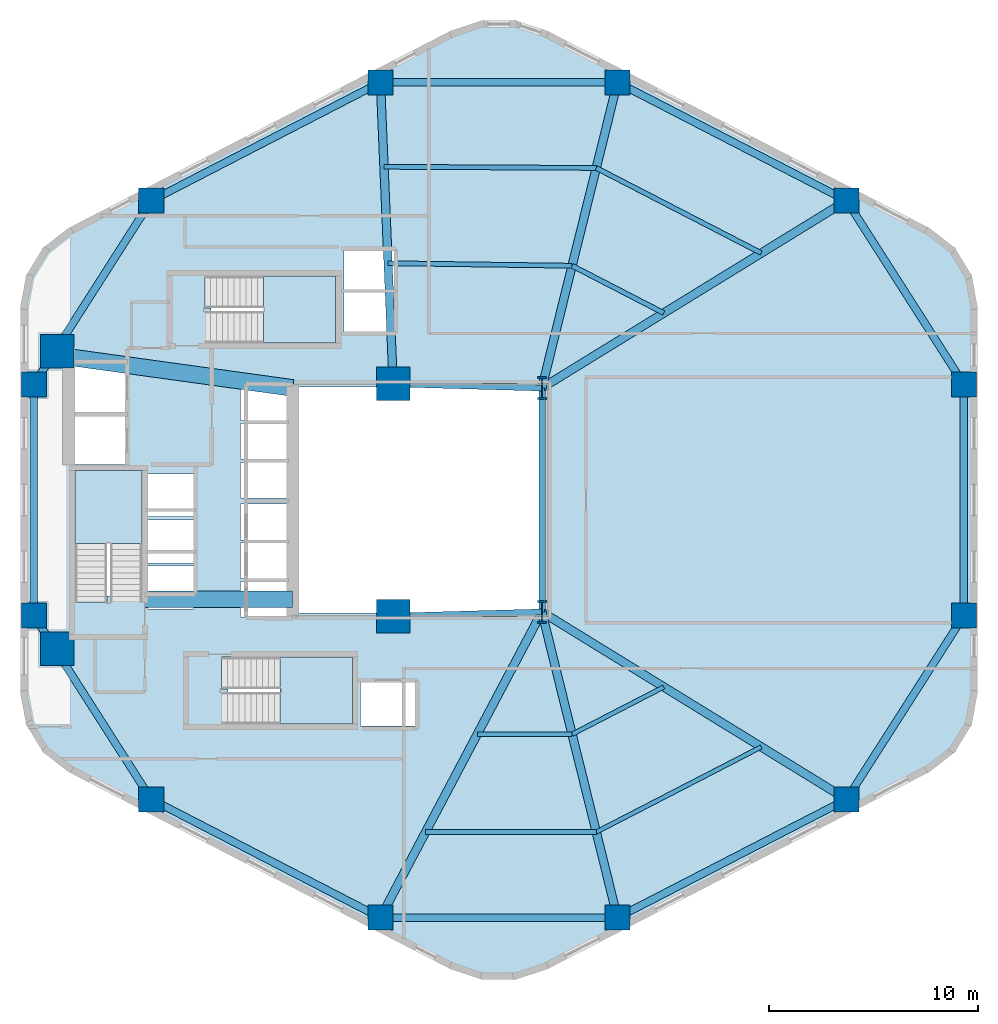
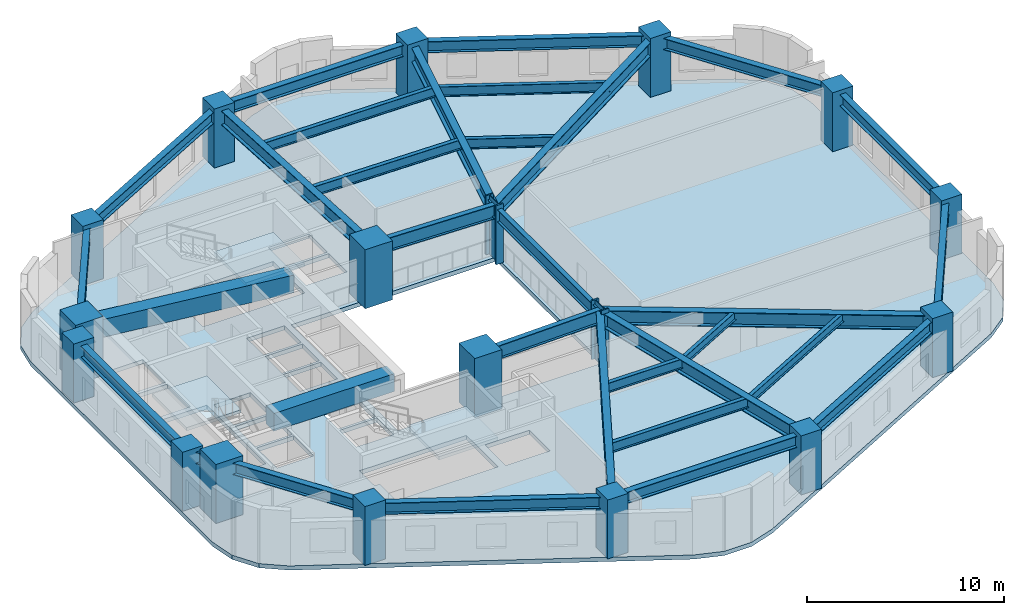
# One storey, part 1 of 6: 31 beams, 18 columns, 4 slabs, 3 elements without a shape of their own.
"""IFC4 building model written with IfcOpenShell, lengths in metres."""

import ifcopenshell
import ifcopenshell.guid

model = None  # the IFC model being written
_history = None  # IfcOwnerHistory: only IFC2X3 demands one
_inside = {}  # id of a spatial element -> (the spatial element, [elements in it])
_under = {}  # id of a project, library or spatial element -> (it, [spatial elements below it])
_declared = {}  # id of a project -> (the project, [libraries it declares])
_typed = {}  # id of a type object -> (the type object, [elements of that type])
_made_of = {}  # id of a material, layer set ... -> (it, [elements and type objects made of it])


def new_model(schema):
    """Start an empty IFC model of exactly this schema.

    Asked for "IFC4X3", IfcOpenShell would pick the latest addendum, in which some entities
    have other attributes; the version numbers below select the first issue.
    IFC2X3 requires an IfcOwnerHistory on every rooted entity: one is made here for all.
    """
    global model, _history
    if schema == "IFC4X3":
        model = ifcopenshell.file(schema_version=(4, 3, 0, 0))
    else:
        model = ifcopenshell.file(schema=schema)
    _inside.clear()
    _under.clear()
    _declared.clear()
    _typed.clear()
    _made_of.clear()
    _history = None
    if model.schema == "IFC2X3":
        org = make("IfcOrganization", Name="unknown")
        user = make(
            "IfcPersonAndOrganization",
            ThePerson=make("IfcPerson", FamilyName="unknown"),
            TheOrganization=org,
        )
        app = make(
            "IfcApplication",
            ApplicationDeveloper=org,
            Version="unknown",
            ApplicationFullName="unknown",
            ApplicationIdentifier="unknown",
        )
        _history = make(
            "IfcOwnerHistory",
            OwningUser=user,
            OwningApplication=app,
            ChangeAction="ADDED",
            CreationDate=0,
        )
    return model


def make(cls, **values):
    """One entity of the class cls with the attributes given. An attribute that is None is left unset."""
    return model.create_entity(
        cls, **{name: value for name, value in values.items() if value is not None}
    )


def rooted(cls, **values):
    """An entity with a GlobalId (a new one), such as an element, a storey or a relation."""
    return make(cls, GlobalId=ifcopenshell.guid.new(), OwnerHistory=_history, **values)


def si_unit(unit_type, name, prefix=None):
    """IfcSIUnit, for example si_unit("LENGTHUNIT", "METRE", prefix="MILLI")."""
    return make("IfcSIUnit", UnitType=unit_type, Prefix=prefix, Name=name)


def assignment(units):
    """IfcUnitAssignment: the units of a project."""
    return None if units is None else make("IfcUnitAssignment", Units=units)


def point(xyz):
    """IfcCartesianPoint."""
    return None if xyz is None else make("IfcCartesianPoint", Coordinates=xyz)


def direction(xyz):
    """IfcDirection."""
    return None if xyz is None else make("IfcDirection", DirectionRatios=xyz)


def frame(location, z_axis=None, x_axis=None):
    """IfcAxis2Placement3D, a coordinate frame: its origin and axes. An axis left out is left unset."""
    return make(
        "IfcAxis2Placement3D",
        Location=point(location),
        Axis=direction(z_axis),
        RefDirection=direction(x_axis),
    )


def frame_2d(location, x_axis=None):
    """IfcAxis2Placement2D, a coordinate frame in the plane: its origin and x axis."""
    return make(
        "IfcAxis2Placement2D", Location=point(location), RefDirection=direction(x_axis)
    )


def origin():
    """The frame at (0, 0, 0) with its axes left unset."""
    return frame((0.0, 0.0, 0.0))


def origin_2d():
    """The frame at (0, 0) in the plane with its x axis left unset."""
    return frame_2d((0.0, 0.0))


def place(relative_to, where):
    """IfcLocalPlacement: puts the frame where relative to a parent placement (None: the world)."""
    return make(
        "IfcLocalPlacement", PlacementRelTo=relative_to, RelativePlacement=where
    )


def context(
    kind, dimensions, precision=None, world=None, true_north=None, identifier=None
):
    """IfcGeometricRepresentationContext, for example the 3D "Model" context."""
    return make(
        "IfcGeometricRepresentationContext",
        ContextIdentifier=identifier,
        ContextType=kind,
        CoordinateSpaceDimension=dimensions,
        Precision=precision,
        WorldCoordinateSystem=world,
        TrueNorth=true_north,
    )


def subcontext(parent, identifier, kind, view, scale=None):
    """IfcGeometricRepresentationSubContext, for example "Body" below "Model"."""
    return make(
        "IfcGeometricRepresentationSubContext",
        ContextIdentifier=identifier,
        ContextType=kind,
        ParentContext=parent,
        TargetScale=scale,
        TargetView=view,
    )


def project(units=None, contexts=None):
    """IfcProject with its units and contexts."""
    return rooted(
        "IfcProject",
        Name="project",
        RepresentationContexts=contexts,
        UnitsInContext=assignment(units),
    )


def spatial(cls, under=None, at=None, **own):
    """A site, building, storey or space (cls), placed at a placement, below another one or the project."""
    s = rooted(cls, ObjectPlacement=at, **own)
    if under is not None:
        _under.setdefault(under.id(), (under, []))[1].append(s)
    return s


def polyline(points):
    """IfcPolyline through the points."""
    return make("IfcPolyline", Points=[point(p) for p in points])


def profile(cls, at=None, kind="AREA", **sizes):
    """A parametric profile (cls). Its sizes go by their IFC names, for example OverallWidth=200.0."""
    return make(cls, ProfileType=kind, Position=at, **sizes)


def rectangle(**sizes):
    """IfcRectangleProfileDef."""
    return profile("IfcRectangleProfileDef", **sizes)


def i_section(**sizes):
    """IfcIShapeProfileDef."""
    return profile("IfcIShapeProfileDef", **sizes)


def outline(outer, holes=None, kind="AREA"):
    """IfcArbitraryClosedProfileDef: a profile drawn as a closed curve; with holes, ...WithVoids."""
    if holes is None:
        return make("IfcArbitraryClosedProfileDef", ProfileType=kind, OuterCurve=outer)
    return make(
        "IfcArbitraryProfileDefWithVoids",
        ProfileType=kind,
        OuterCurve=outer,
        InnerCurves=holes,
    )


def extrude(swept, where, along, depth):
    """IfcExtrudedAreaSolid: the profile swept, set in the frame where, extruded along a direction by depth."""
    return make(
        "IfcExtrudedAreaSolid",
        SweptArea=swept,
        Position=where,
        ExtrudedDirection=direction(along),
        Depth=depth,
    )


def shape(context_of_items, identifier, shape_type, items):
    """IfcShapeRepresentation: the items that make up one representation, for example the "Body"."""
    return make(
        "IfcShapeRepresentation",
        ContextOfItems=context_of_items,
        RepresentationIdentifier=identifier,
        RepresentationType=shape_type,
        Items=items,
    )


def material(Name=None, Category=None):
    """IfcMaterial."""
    return make("IfcMaterial", Name=Name, Category=Category)


def layer(
    of_material, thickness, ventilated=None, Name=None, Category=None, Priority=None
):
    """IfcMaterialLayer: one layer of a wall or slab, of a material (None: an air gap)."""
    return make(
        "IfcMaterialLayer",
        Material=of_material,
        LayerThickness=thickness,
        IsVentilated=ventilated,
        Name=Name,
        Category=Category,
        Priority=Priority,
    )


def layer_set(layers, Name=None):
    """IfcMaterialLayerSet."""
    return make("IfcMaterialLayerSet", MaterialLayers=layers, LayerSetName=Name)


def material_profile(
    of_material, cross_section, Name=None, Category=None, Priority=None
):
    """IfcMaterialProfile: a cross section and its material."""
    return make(
        "IfcMaterialProfile",
        Name=Name,
        Material=of_material,
        Profile=cross_section,
        Priority=Priority,
        Category=Category,
    )


def profile_set(profiles, Name=None, composite=None):
    """IfcMaterialProfileSet."""
    return make(
        "IfcMaterialProfileSet",
        Name=Name,
        MaterialProfiles=profiles,
        CompositeProfile=composite,
    )


def made_of(thing, what):
    """Note that an element or type object is made of a material, layer set ...; save() writes the relation."""
    if what is not None:
        _made_of.setdefault(what.id(), (what, []))[1].append(thing)
    return thing


def type_object(cls, material=None, **own):
    """A type object (cls), such as IfcWallType, which elements share."""
    return made_of(rooted(cls, **own), material)


def element(
    cls,
    number,
    at=None,
    inside=None,
    cuts=None,
    type_object=None,
    material=None,
    context=None,
    identifier="Body",
    shape_type=None,
    held_by="IfcProductDefinitionShape",
    body=None,
    shapes=None,
    **own,
):
    """One element of the class cls, such as IfcWall. Its Tag is "e" and its number.

    at: its placement. inside: the storey or other place that contains it. cuts: it is an
    opening in that element (IfcRelVoidsElement). A single representation is given by context,
    identifier, shape_type and body (its items); several are given by shapes. held_by: the class
    of the entity that holds the representations. save() writes the other relations.
    """
    e = rooted(cls, Tag="e%d" % number, ObjectPlacement=at, **own)
    if body is not None:
        shapes = [shape(context, identifier, shape_type, body)]
    if shapes is not None:
        e.Representation = make(held_by, Representations=shapes)
    if inside is not None:
        _inside.setdefault(inside.id(), (inside, []))[1].append(e)
    if cuts is not None:
        rooted(
            "IfcRelVoidsElement", RelatingBuildingElement=cuts, RelatedOpeningElement=e
        )
    if type_object is not None:
        _typed.setdefault(type_object.id(), (type_object, []))[1].append(e)
    return made_of(e, material)


def aggregate(whole, parts):
    """IfcRelAggregates: a whole, such as a stair, and the parts it consists of."""
    return rooted("IfcRelAggregates", RelatingObject=whole, RelatedObjects=parts)


def save(model, path):
    """Write the relations noted so far, then the file.

    IfcRelAggregates (storeys below a building ...), IfcRelContainedInSpatialStructure (elements
    in a storey), IfcRelDefinesByType, IfcRelAssociatesMaterial and IfcRelDeclares: one each for
    every whole, place, type object, material and project.
    """
    for whole, parts in _under.values():
        aggregate(whole, parts)
    for where, things in _inside.values():
        rooted(
            "IfcRelContainedInSpatialStructure",
            RelatedElements=things,
            RelatingStructure=where,
        )
    for kind, things in _typed.values():
        rooted("IfcRelDefinesByType", RelatedObjects=things, RelatingType=kind)
    for what, things in _made_of.values():
        rooted("IfcRelAssociatesMaterial", RelatedObjects=things, RelatingMaterial=what)
    for by, libraries in _declared.values():
        rooted("IfcRelDeclares", RelatingContext=by, RelatedDefinitions=libraries)
    model.write(path)


model = new_model("IFC4")

# Units and contexts
model_context = context("Model", 3, precision=1e-05, world=origin(), true_north=direction((0.0, 1.0)))
body_context = subcontext(model_context, "Body", "Model", "MODEL_VIEW")
ifc_project = project(units=[si_unit("LENGTHUNIT", "METRE"), si_unit("AREAUNIT", "SQUARE_METRE"), si_unit("VOLUMEUNIT", "CUBIC_METRE"), si_unit("PLANEANGLEUNIT", "RADIAN"), si_unit("MASSUNIT", "GRAM", prefix="KILO"), si_unit("THERMODYNAMICTEMPERATUREUNIT", "KELVIN"), si_unit("POWERUNIT", "WATT")], contexts=[model_context])

# Site, building, storey
site_placement = place(None, origin())
site = spatial("IfcSite", under=ifc_project, at=site_placement, CompositionType="ELEMENT")
building_placement = place(site_placement, origin())
building = spatial("IfcBuilding", under=site, at=building_placement, Name="Skarre Station Tower", CompositionType="ELEMENT")
storey_placement = place(building_placement, frame((0.0, 0.0, 30.64990234375)))
storey = spatial("IfcBuildingStorey", under=building, at=storey_placement, Name="L07", CompositionType="ELEMENT", Elevation=30.64990234375)

# Columns
ifc_material_1 = material(Name="Concrete C60/75", Category="concrete")
ifc_material_profile_1 = material_profile(ifc_material_1, rectangle(XDim=1.199951171875, YDim=1.199951171875, at=origin_2d()), Name="Concrete C60/75")
ifc_profile_set_1 = profile_set([ifc_material_profile_1], Name="Concrete C60/75")
column_type_1 = type_object("IfcColumnType", Name="RC Structural Column RC-COL-1200X1200", PredefinedType="COLUMN", material=ifc_profile_set_1)
for number, where, z_axis, x_axis, name in (
    (1, (54.007080078125, 38.298095703125, 0.0), (0.0, 0.0, 1.0), (1.0, 0.0, 0.0), "L07 Zone 1 Perimeter Column F0C1"),
    (2, (43.06005859375, 43.947021484375, 0.0), (0.0, 0.0, 1.0), (1.0, 0.0, 0.0), "L07 Zone 1 Perimeter Column F0C2"),
    (3, (31.739990234375, 43.947021484375, 0.0), (0.0, 0.0, 1.0), (1.0, 0.0, 0.0), "L07 Zone 1 Perimeter Column F1C1"),
    (4, (20.79296875, 38.298095703125, 0.0), (0.0, 0.0, 1.0), (1.0, 0.0, 0.0), "L07 Zone 1 Perimeter Column F1C2"),
    (5, (15.18701171875, 29.52099609375, 0.0), (0.0, 0.0, 1.0), (1.0, 0.0, 0.0), "L07 Zone 1 Perimeter Column F2C1"),
    (6, (15.18701171875, 18.47900390625, 0.0), (0.0, 0.0, 1.0), (1.0, 0.0, 0.0), "L07 Zone 1 Perimeter Column F2C2"),
    (7, (20.79296875, 9.701904296875, 0.0), (0.0, 0.0, 1.0), (1.0, 0.0, 0.0), "L07 Zone 1 Perimeter Column F3C1"),
    (8, (31.739990234375, 4.052978515625, 0.0), (0.0, 0.0, 1.0), (1.0, 0.0, 0.0), "L07 Zone 1 Perimeter Column F3C2"),
    (9, (43.06005859375, 4.052978515625, 0.0), (0.0, 0.0, 1.0), (1.0, 0.0, 0.0), "L07 Zone 1 Perimeter Column F4C1"),
    (10, (54.007080078125, 9.701904296875, 0.0), (0.0, 0.0, 1.0), (1.0, 0.0, 0.0), "L07 Zone 1 Perimeter Column F4C2"),
    (11, (59.613037109375, 18.47900390625, 0.0), (0.0, 0.0, 1.0), (1.0, 0.0, 0.0), "L07 Zone 1 Perimeter Column F5C1"),
    (12, (59.613037109375, 29.52099609375, 0.0), (0.0, 0.0, 1.0), (1.0, 0.0, 0.0), "L07 Zone 1 Perimeter Column F5C2"),
):
    element("IfcColumn", number, at=place(storey_placement, frame(where, z_axis=z_axis, x_axis=x_axis)), inside=storey, type_object=column_type_1, Name=name, PredefinedType="COLUMN", context=body_context, shape_type="SweptSolid", body=[
        extrude(rectangle(XDim=1.199951171875, YDim=1.199951171875, at=origin_2d()), origin(), (0.0, 0.0, 1.0), 3.650146484375),
    ])
ifc_material_2 = material(Name="Concrete C70/85", Category="concrete")
ifc_material_profile_2 = material_profile(ifc_material_2, rectangle(XDim=1.60009765625, YDim=1.60009765625, at=origin_2d()), Name="Concrete C70/85")
ifc_profile_set_2 = profile_set([ifc_material_profile_2], Name="Concrete C70/85")
column_type_2 = type_object("IfcColumnType", Name="RC Structural Column RC-COL-1600X1600", PredefinedType="COLUMN", material=ifc_profile_set_2)
for number, where, z_axis, x_axis, name in (
    (13, (16.300048828125, 16.89990234375, 0.0), (0.0, 0.0, 1.0), (1.0, 0.0, 0.0), "L07 Core Column CC-SW"),
    (14, (16.300048828125, 31.10009765625, 0.0), (0.0, 0.0, 1.0), (1.0, 0.0, 0.0), "L07 Core Column CC-NW"),
    (15, (32.35009765625, 18.449951171875, 0.0), (0.0, 0.0, 1.0), (1.0, 0.0, 0.0), "L07 Core Column CC-SE"),
    (16, (32.35009765625, 29.550048828125, 0.0), (0.0, 0.0, 1.0), (1.0, 0.0, 0.0), "L07 Core Column CC-NE"),
):
    element("IfcColumn", number, at=place(storey_placement, frame(where, z_axis=z_axis, x_axis=x_axis)), inside=storey, type_object=column_type_2, Name=name, PredefinedType="COLUMN", context=body_context, shape_type="SweptSolid", body=[
        extrude(rectangle(XDim=1.60009765625, YDim=1.60009765625, at=origin_2d()), origin(), (0.0, 0.0, 1.0), 3.650146484375),
    ])
ifc_material_3 = material(Name="Steel ASTM A913 Grade 65", Category="steel")
ifc_material_profile_3 = material_profile(ifc_material_3, i_section(OverallWidth=0.424072265625, OverallDepth=1.092041015625, WebThickness=0.044921875, FlangeThickness=0.08203125, at=origin_2d()), Name="Steel ASTM A913 Grade 65")
ifc_profile_set_3 = profile_set([ifc_material_profile_3], Name="Steel ASTM A913 Grade 65")
column_type_3 = type_object("IfcColumnType", Name="Steel Column W40X593", PredefinedType="COLUMN", material=ifc_profile_set_3)
for number, where, z_axis, x_axis, name in (
    (17, (39.449951171875, 18.64990234375, 0.0), (0.0, 0.0, 1.0), (1.0, 0.0, 0.0), "L07 Atrium Spine Column AC-SE"),
    (18, (39.449951171875, 29.35009765625, 0.0), (0.0, 0.0, 1.0), (1.0, 0.0, 0.0), "L07 Atrium Spine Column AC-NE"),
):
    element("IfcColumn", number, at=place(storey_placement, frame(where, z_axis=z_axis, x_axis=x_axis)), inside=storey, type_object=column_type_3, Name=name, PredefinedType="COLUMN", context=body_context, shape_type="SweptSolid", body=[
        extrude(i_section(OverallWidth=0.424072265625, OverallDepth=1.092041015625, WebThickness=0.044921875, FlangeThickness=0.08203125, at=origin_2d()), origin(), (0.0, 0.0, 1.0), 3.650146484375),
    ])

# Beams
ifc_material_profile_4 = material_profile(ifc_material_2, rectangle(XDim=0.800048828125, YDim=1.10009765625, at=origin_2d()), Name="Concrete C70/85")
ifc_profile_set_4 = profile_set([ifc_material_profile_4], Name="Concrete C70/85")
beam_type_1 = type_object("IfcBeamType", Name="RC Core Coupling Lintel 800x1100", PredefinedType="LINTEL", material=ifc_profile_set_4)
beam_1_placement = place(storey_placement, frame((20.489990234375, 19.260009765625, 2.840087890625), z_axis=(1.0, 0.0, 0.0), x_axis=(0.0, 1.0, 0.0)))
element("IfcBeam", 19, at=beam_1_placement, inside=storey, type_object=beam_type_1, Name="L07 South Core Coupling Lintel", PredefinedType="LINTEL", context=body_context, shape_type="SweptSolid", body=[
    extrude(rectangle(XDim=0.800048828125, YDim=1.10009765625, at=origin_2d()), origin(), (0.0, 0.0, 1.0), 7.06005859375),
])
beam_2_placement = place(storey_placement, frame((17.050048828125, 30.800048828125, 2.840087890625), z_axis=(0.990599723633, -0.136792498109, 0.0), x_axis=(0.136792498109, 0.990599723633, 0.0)))
element("IfcBeam", 20, at=beam_2_placement, inside=storey, type_object=beam_type_1, Name="L07 North Core Coupling Lintel", PredefinedType="LINTEL", context=body_context, shape_type="SweptSolid", body=[
    extrude(rectangle(XDim=0.800048828125, YDim=1.10009765625, at=origin_2d()), origin(), (0.0, 0.0, 1.0), 10.599609375),
])
ifc_material_4 = material(Name="Steel ASTM A992 Grade 50", Category="steel")
ifc_material_profile_5 = material_profile(ifc_material_4, i_section(OverallWidth=0.26806640625, OverallDepth=0.77001953125, WebThickness=0.01611328125, FlangeThickness=0.02490234375, at=origin_2d()), Name="Steel ASTM A992 Grade 50")
ifc_profile_set_5 = profile_set([ifc_material_profile_5], Name="Steel ASTM A992 Grade 50")
beam_type_2 = type_object("IfcBeamType", Name="Steel Beam W30X132", PredefinedType="BEAM", material=ifc_profile_set_5)
beam_3_placement = place(storey_placement, frame((39.449951171875, 18.64990234375, 3.005126953125), z_axis=(0.0, 1.0, 0.0), x_axis=(-1.0, 0.0, 0.0)))
element("IfcBeam", 21, at=beam_3_placement, inside=storey, type_object=beam_type_2, Name="L07 Atrium East Edge Girder", PredefinedType="BEAM", context=body_context, shape_type="SweptSolid", body=[
    extrude(i_section(OverallWidth=0.26806640625, OverallDepth=0.77001953125, WebThickness=0.01611328125, FlangeThickness=0.02490234375, at=origin_2d()), origin(), (0.0, 0.0, 1.0), 10.7001953125),
])
ifc_material_profile_6 = material_profile(ifc_material_4, i_section(OverallWidth=0.2919921875, OverallDepth=0.85888671875, WebThickness=0.01708984375, FlangeThickness=0.031005859375, at=origin_2d()), Name="Steel ASTM A992 Grade 50")
ifc_profile_set_6 = profile_set([ifc_material_profile_6], Name="Steel ASTM A992 Grade 50")
beam_type_3 = type_object("IfcBeamType", Name="Steel Beam W33X169", PredefinedType="BEAM", material=ifc_profile_set_6)
for number, where, z_axis, x_axis, name in (
    (22, (32.35009765625, 18.449951171875, 2.961181640625), (0.999603666405, 0.028151556095, 0.0), (-0.028151556095, 0.999603666405, 0.0), "L07 Atrium South Edge Girder"),
    (23, (32.35009765625, 29.550048828125, 2.961181640625), (0.999603666405, -0.028151556095, 0.0), (0.028151556095, 0.999603666405, 0.0), "L07 Atrium North Edge Girder"),
):
    element("IfcBeam", number, at=place(storey_placement, frame(where, z_axis=z_axis, x_axis=x_axis)), inside=storey, type_object=beam_type_3, Name=name, PredefinedType="BEAM", context=body_context, shape_type="SweptSolid", body=[
        extrude(i_section(OverallWidth=0.2919921875, OverallDepth=0.85888671875, WebThickness=0.01708984375, FlangeThickness=0.031005859375, at=origin_2d()), origin(), (0.0, 0.0, 1.0), 7.102783203125),
    ])
ifc_material_profile_7 = material_profile(ifc_material_4, i_section(OverallWidth=0.40087890625, OverallDepth=0.876953125, WebThickness=0.02197265625, FlangeThickness=0.0400390625, at=origin_2d()), Name="Steel ASTM A992 Grade 50")
ifc_profile_set_7 = profile_set([ifc_material_profile_7], Name="Steel ASTM A992 Grade 50")
beam_type_4 = type_object("IfcBeamType", Name="Steel Beam W33X263", PredefinedType="BEAM", material=ifc_profile_set_7)
beam_4_placement = place(storey_placement, frame((39.449951171875, 29.35009765625, 2.9521484375), z_axis=(0.851925565957, 0.523662897358, 0.0), x_axis=(-0.523662897358, 0.851925565957, 0.0)))
element("IfcBeam", 24, at=beam_4_placement, inside=storey, type_object=beam_type_4, Name="L07 Radial Floor Girder F0C1", PredefinedType="BEAM", context=body_context, shape_type="SweptSolid", body=[
    extrude(i_section(OverallWidth=0.40087890625, OverallDepth=0.876953125, WebThickness=0.02197265625, FlangeThickness=0.0400390625, at=origin_2d()), origin(), (0.0, 0.0, 1.0), 17.08740234375),
])
beam_5_placement = place(storey_placement, frame((39.449951171875, 29.35009765625, 2.9521484375), z_axis=(0.240086037639, 0.9707516132, 0.0), x_axis=(-0.9707516132, 0.240086037639, 0.0)))
element("IfcBeam", 25, at=beam_5_placement, inside=storey, type_object=beam_type_4, Name="L07 Radial Floor Girder F0C2", PredefinedType="BEAM", context=body_context, shape_type="SweptSolid", body=[
    extrude(i_section(OverallWidth=0.40087890625, OverallDepth=0.876953125, WebThickness=0.02197265625, FlangeThickness=0.0400390625, at=origin_2d()), origin(), (0.0, 0.0, 1.0), 15.03662109375),
])
beam_6_placement = place(storey_placement, frame((32.35009765625, 29.550048828125, 2.9521484375), z_axis=(-0.042339479433, 0.999103282189, 0.0), x_axis=(-0.999103282189, -0.042339479433, 0.0)))
element("IfcBeam", 26, at=beam_6_placement, inside=storey, type_object=beam_type_4, Name="L07 Radial Floor Girder F1C1", PredefinedType="BEAM", context=body_context, shape_type="SweptSolid", body=[
    extrude(i_section(OverallWidth=0.40087890625, OverallDepth=0.876953125, WebThickness=0.02197265625, FlangeThickness=0.0400390625, at=origin_2d()), origin(), (0.0, 0.0, 1.0), 14.409912109375),
])
beam_7_placement = place(storey_placement, frame((39.449951171875, 18.64990234375, 2.9521484375), z_axis=(-0.467044240884, -0.884233949279, 0.0), x_axis=(0.884233949279, -0.467044240884, 0.0)))
element("IfcBeam", 27, at=beam_7_placement, inside=storey, type_object=beam_type_4, Name="L07 Radial Floor Girder F3C2", PredefinedType="BEAM", context=body_context, shape_type="SweptSolid", body=[
    extrude(i_section(OverallWidth=0.40087890625, OverallDepth=0.876953125, WebThickness=0.02197265625, FlangeThickness=0.0400390625, at=origin_2d()), origin(), (0.0, 0.0, 1.0), 16.508056640625),
])
beam_8_placement = place(storey_placement, frame((39.449951171875, 18.64990234375, 2.9521484375), z_axis=(0.240086037639, -0.9707516132, 0.0), x_axis=(0.9707516132, 0.240086037639, 0.0)))
element("IfcBeam", 28, at=beam_8_placement, inside=storey, type_object=beam_type_4, Name="L07 Radial Floor Girder F4C1", PredefinedType="BEAM", context=body_context, shape_type="SweptSolid", body=[
    extrude(i_section(OverallWidth=0.40087890625, OverallDepth=0.876953125, WebThickness=0.02197265625, FlangeThickness=0.0400390625, at=origin_2d()), origin(), (0.0, 0.0, 1.0), 15.03662109375),
])
beam_9_placement = place(storey_placement, frame((39.449951171875, 18.64990234375, 2.9521484375), z_axis=(0.851925565957, -0.523662897358, 0.0), x_axis=(0.523662897358, 0.851925565957, 0.0)))
element("IfcBeam", 29, at=beam_9_placement, inside=storey, type_object=beam_type_4, Name="L07 Radial Floor Girder F4C2", PredefinedType="BEAM", context=body_context, shape_type="SweptSolid", body=[
    extrude(i_section(OverallWidth=0.40087890625, OverallDepth=0.876953125, WebThickness=0.02197265625, FlangeThickness=0.0400390625, at=origin_2d()), origin(), (0.0, 0.0, 1.0), 17.08740234375),
])
ifc_material_profile_8 = material_profile(ifc_material_4, i_section(OverallWidth=0.208984375, OverallDepth=0.532958984375, WebThickness=0.010009765625, FlangeThickness=0.01611328125, at=origin_2d()), Name="Steel ASTM A992 Grade 50")
ifc_profile_set_8 = profile_set([ifc_material_profile_8], Name="Steel ASTM A992 Grade 50")
beam_type_5 = type_object("IfcBeamType", Name="Steel Joist W21X62", PredefinedType="JOIST", material=ifc_profile_set_8)
beam_10_placement = place(storey_placement, frame((40.89404296875, 12.81103515625, 3.123046875), z_axis=(0.888626519249, 0.458631561591, 0.0), x_axis=(-0.458631561591, 0.888626519249, 0.0)))
element("IfcBeam", 30, at=beam_10_placement, inside=storey, type_object=beam_type_5, Name="L07 Auxiliary Composite Joist 7", PredefinedType="JOIST", context=body_context, shape_type="SweptSolid", body=[
    extrude(i_section(OverallWidth=0.208984375, OverallDepth=0.532958984375, WebThickness=0.010009765625, FlangeThickness=0.01611328125, at=origin_2d()), origin(), (0.0, 0.0, 1.0), 4.927734375),
])
beam_11_placement = place(storey_placement, frame((42.049072265625, 8.139892578125, 3.123046875), z_axis=(0.88866227096, 0.458562283853, 0.0), x_axis=(-0.458562283853, 0.88866227096, 0.0)))
element("IfcBeam", 31, at=beam_11_placement, inside=storey, type_object=beam_type_5, Name="L07 Auxiliary Composite Joist 8", PredefinedType="JOIST", context=body_context, shape_type="SweptSolid", body=[
    extrude(i_section(OverallWidth=0.208984375, OverallDepth=0.532958984375, WebThickness=0.010009765625, FlangeThickness=0.01611328125, at=origin_2d()), origin(), (0.0, 0.0, 1.0), 8.869384765625),
])
ifc_material_profile_9 = material_profile(ifc_material_4, i_section(OverallWidth=0.22802734375, OverallDepth=0.60791015625, WebThickness=0.010986328125, FlangeThickness=0.01708984375, at=origin_2d()), Name="Steel ASTM A992 Grade 50")
ifc_profile_set_9 = profile_set([ifc_material_profile_9], Name="Steel ASTM A992 Grade 50")
beam_type_6 = type_object("IfcBeamType", Name="Steel Joist W24X76", PredefinedType="JOIST", material=ifc_profile_set_9)
beam_12_placement = place(storey_placement, frame((45.27294921875, 32.928955078125, 3.086181640625), z_axis=(-0.888626519249, 0.458631561591, 0.0), x_axis=(-0.458631561591, -0.888626519249, 0.0)))
element("IfcBeam", 32, at=beam_12_placement, inside=storey, type_object=beam_type_6, Name="L07 Secondary Floor Joist 1", PredefinedType="JOIST", context=body_context, shape_type="SweptSolid", body=[
    extrude(i_section(OverallWidth=0.22802734375, OverallDepth=0.60791015625, WebThickness=0.010986328125, FlangeThickness=0.01708984375, at=origin_2d()), origin(), (0.0, 0.0, 1.0), 4.927734375),
])
beam_13_placement = place(storey_placement, frame((49.930908203125, 35.79296875, 3.086181640625), z_axis=(-0.88866227096, 0.458562283853, 0.0), x_axis=(-0.458562283853, -0.88866227096, 0.0)))
element("IfcBeam", 33, at=beam_13_placement, inside=storey, type_object=beam_type_6, Name="L07 Secondary Floor Joist 2", PredefinedType="JOIST", context=body_context, shape_type="SweptSolid", body=[
    extrude(i_section(OverallWidth=0.22802734375, OverallDepth=0.60791015625, WebThickness=0.010986328125, FlangeThickness=0.01708984375, at=origin_2d()), origin(), (0.0, 0.0, 1.0), 8.869384765625),
])
beam_14_placement = place(storey_placement, frame((40.89404296875, 35.18896484375, 3.086181640625), z_axis=(-0.999906603441, 0.013666908792, 0.0), x_axis=(-0.013666908792, -0.999906603441, 0.0)))
element("IfcBeam", 34, at=beam_14_placement, inside=storey, type_object=beam_type_6, Name="L07 Secondary Floor Joist 3", PredefinedType="JOIST", context=body_context, shape_type="SweptSolid", body=[
    extrude(i_section(OverallWidth=0.22802734375, OverallDepth=0.60791015625, WebThickness=0.010986328125, FlangeThickness=0.01708984375, at=origin_2d()), origin(), (0.0, 0.0, 1.0), 8.788818359375),
])
beam_15_placement = place(storey_placement, frame((42.049072265625, 39.860107421875, 3.086181640625), z_axis=(-0.999984794845, 0.005514533498, 0.0), x_axis=(-0.005514533498, -0.999984794845, 0.0)))
element("IfcBeam", 35, at=beam_15_placement, inside=storey, type_object=beam_type_6, Name="L07 Secondary Floor Joist 4", PredefinedType="JOIST", context=body_context, shape_type="SweptSolid", body=[
    extrude(i_section(OverallWidth=0.22802734375, OverallDepth=0.60791015625, WebThickness=0.010986328125, FlangeThickness=0.01708984375, at=origin_2d()), origin(), (0.0, 0.0, 1.0), 10.138427734375),
])
beam_16_placement = place(storey_placement, frame((36.365966796875, 12.81103515625, 3.086181640625), z_axis=(1.0, 0.0, 0.0), x_axis=(0.0, 1.0, 0.0)))
element("IfcBeam", 36, at=beam_16_placement, inside=storey, type_object=beam_type_6, Name="L07 Secondary Floor Joist 5", PredefinedType="JOIST", context=body_context, shape_type="SweptSolid", body=[
    extrude(i_section(OverallWidth=0.22802734375, OverallDepth=0.60791015625, WebThickness=0.010986328125, FlangeThickness=0.01708984375, at=origin_2d()), origin(), (0.0, 0.0, 1.0), 4.528076171875),
])
beam_17_placement = place(storey_placement, frame((33.89892578125, 8.139892578125, 3.086181640625), z_axis=(1.0, 0.0, 0.0), x_axis=(0.0, 1.0, 0.0)))
element("IfcBeam", 37, at=beam_17_placement, inside=storey, type_object=beam_type_6, Name="L07 Secondary Floor Joist 6", PredefinedType="JOIST", context=body_context, shape_type="SweptSolid", body=[
    extrude(i_section(OverallWidth=0.22802734375, OverallDepth=0.60791015625, WebThickness=0.010986328125, FlangeThickness=0.01708984375, at=origin_2d()), origin(), (0.0, 0.0, 1.0), 8.150146484375),
])
ifc_material_profile_10 = material_profile(ifc_material_4, i_section(OverallWidth=0.35791015625, OverallDepth=0.7060546875, WebThickness=0.01806640625, FlangeThickness=0.030029296875, at=origin_2d()), Name="Steel ASTM A992 Grade 50")
ifc_profile_set_10 = profile_set([ifc_material_profile_10], Name="Steel ASTM A992 Grade 50")
beam_type_7 = type_object("IfcBeamType", Name="Steel Spandrel W27X178", PredefinedType="SPANDREL", material=ifc_profile_set_10)
beam_18_placement = place(storey_placement, frame((54.007080078125, 38.298095703125, 3.037109375), z_axis=(-0.888658695823, 0.458569212158, 0.0), x_axis=(-0.458569212158, -0.888658695823, 0.0)))
element("IfcBeam", 38, at=beam_18_placement, inside=storey, type_object=beam_type_7, Name="L07 Facet Spandrel Beam 1", PredefinedType="SPANDREL", context=body_context, shape_type="SweptSolid", body=[
    extrude(i_section(OverallWidth=0.35791015625, OverallDepth=0.7060546875, WebThickness=0.01806640625, FlangeThickness=0.030029296875, at=origin_2d()), origin(), (0.0, 0.0, 1.0), 12.318603515625),
])
beam_19_placement = place(storey_placement, frame((43.06005859375, 43.947021484375, 3.037109375), z_axis=(-1.0, 0.0, 0.0), x_axis=(0.0, -1.0, 0.0)))
element("IfcBeam", 39, at=beam_19_placement, inside=storey, type_object=beam_type_7, Name="L07 Facet Spandrel Beam 2", PredefinedType="SPANDREL", context=body_context, shape_type="SweptSolid", body=[
    extrude(i_section(OverallWidth=0.35791015625, OverallDepth=0.7060546875, WebThickness=0.01806640625, FlangeThickness=0.030029296875, at=origin_2d()), origin(), (0.0, 0.0, 1.0), 11.320068359375),
])
beam_20_placement = place(storey_placement, frame((31.739990234375, 43.947021484375, 3.037109375), z_axis=(-0.888658695823, -0.458569212158, 0.0), x_axis=(0.458569212158, -0.888658695823, 0.0)))
element("IfcBeam", 40, at=beam_20_placement, inside=storey, type_object=beam_type_7, Name="L07 Facet Spandrel Beam 3", PredefinedType="SPANDREL", context=body_context, shape_type="SweptSolid", body=[
    extrude(i_section(OverallWidth=0.35791015625, OverallDepth=0.7060546875, WebThickness=0.01806640625, FlangeThickness=0.030029296875, at=origin_2d()), origin(), (0.0, 0.0, 1.0), 12.318603515625),
])
beam_21_placement = place(storey_placement, frame((20.79296875, 38.298095703125, 3.037109375), z_axis=(-0.538277829225, -0.842767452246, 0.0), x_axis=(0.842767452246, -0.538277829225, 0.0)))
element("IfcBeam", 41, at=beam_21_placement, inside=storey, type_object=beam_type_7, Name="L07 Facet Spandrel Beam 4", PredefinedType="SPANDREL", context=body_context, shape_type="SweptSolid", body=[
    extrude(i_section(OverallWidth=0.35791015625, OverallDepth=0.7060546875, WebThickness=0.01806640625, FlangeThickness=0.030029296875, at=origin_2d()), origin(), (0.0, 0.0, 1.0), 10.41455078125),
])
beam_22_placement = place(storey_placement, frame((15.18701171875, 29.52099609375, 3.037109375), z_axis=(0.0, -1.0, 0.0), x_axis=(1.0, 0.0, 0.0)))
element("IfcBeam", 42, at=beam_22_placement, inside=storey, type_object=beam_type_7, Name="L07 Facet Spandrel Beam 5", PredefinedType="SPANDREL", context=body_context, shape_type="SweptSolid", body=[
    extrude(i_section(OverallWidth=0.35791015625, OverallDepth=0.7060546875, WebThickness=0.01806640625, FlangeThickness=0.030029296875, at=origin_2d()), origin(), (0.0, 0.0, 1.0), 11.0419921875),
])
beam_23_placement = place(storey_placement, frame((15.18701171875, 18.47900390625, 3.037109375), z_axis=(0.538277829225, -0.842767452246, 0.0), x_axis=(0.842767452246, 0.538277829225, 0.0)))
element("IfcBeam", 43, at=beam_23_placement, inside=storey, type_object=beam_type_7, Name="L07 Facet Spandrel Beam 6", PredefinedType="SPANDREL", context=body_context, shape_type="SweptSolid", body=[
    extrude(i_section(OverallWidth=0.35791015625, OverallDepth=0.7060546875, WebThickness=0.01806640625, FlangeThickness=0.030029296875, at=origin_2d()), origin(), (0.0, 0.0, 1.0), 10.41455078125),
])
beam_24_placement = place(storey_placement, frame((20.79296875, 9.701904296875, 3.037109375), z_axis=(0.888658695823, -0.458569212158, 0.0), x_axis=(0.458569212158, 0.888658695823, 0.0)))
element("IfcBeam", 44, at=beam_24_placement, inside=storey, type_object=beam_type_7, Name="L07 Facet Spandrel Beam 7", PredefinedType="SPANDREL", context=body_context, shape_type="SweptSolid", body=[
    extrude(i_section(OverallWidth=0.35791015625, OverallDepth=0.7060546875, WebThickness=0.01806640625, FlangeThickness=0.030029296875, at=origin_2d()), origin(), (0.0, 0.0, 1.0), 12.318603515625),
])
beam_25_placement = place(storey_placement, frame((31.739990234375, 4.052978515625, 3.037109375), z_axis=(1.0, 0.0, 0.0), x_axis=(0.0, 1.0, 0.0)))
element("IfcBeam", 45, at=beam_25_placement, inside=storey, type_object=beam_type_7, Name="L07 Facet Spandrel Beam 8", PredefinedType="SPANDREL", context=body_context, shape_type="SweptSolid", body=[
    extrude(i_section(OverallWidth=0.35791015625, OverallDepth=0.7060546875, WebThickness=0.01806640625, FlangeThickness=0.030029296875, at=origin_2d()), origin(), (0.0, 0.0, 1.0), 11.320068359375),
])
beam_26_placement = place(storey_placement, frame((43.06005859375, 4.052978515625, 3.037109375), z_axis=(0.888658695823, 0.458569212158, 0.0), x_axis=(-0.458569212158, 0.888658695823, 0.0)))
element("IfcBeam", 46, at=beam_26_placement, inside=storey, type_object=beam_type_7, Name="L07 Facet Spandrel Beam 9", PredefinedType="SPANDREL", context=body_context, shape_type="SweptSolid", body=[
    extrude(i_section(OverallWidth=0.35791015625, OverallDepth=0.7060546875, WebThickness=0.01806640625, FlangeThickness=0.030029296875, at=origin_2d()), origin(), (0.0, 0.0, 1.0), 12.318603515625),
])
beam_27_placement = place(storey_placement, frame((54.007080078125, 9.701904296875, 3.037109375), z_axis=(0.538277829225, 0.842767452246, 0.0), x_axis=(-0.842767452246, 0.538277829225, 0.0)))
element("IfcBeam", 47, at=beam_27_placement, inside=storey, type_object=beam_type_7, Name="L07 Facet Spandrel Beam 10", PredefinedType="SPANDREL", context=body_context, shape_type="SweptSolid", body=[
    extrude(i_section(OverallWidth=0.35791015625, OverallDepth=0.7060546875, WebThickness=0.01806640625, FlangeThickness=0.030029296875, at=origin_2d()), origin(), (0.0, 0.0, 1.0), 10.41455078125),
])
beam_28_placement = place(storey_placement, frame((59.613037109375, 18.47900390625, 3.037109375), z_axis=(0.0, 1.0, 0.0), x_axis=(-1.0, 0.0, 0.0)))
element("IfcBeam", 48, at=beam_28_placement, inside=storey, type_object=beam_type_7, Name="L07 Facet Spandrel Beam 11", PredefinedType="SPANDREL", context=body_context, shape_type="SweptSolid", body=[
    extrude(i_section(OverallWidth=0.35791015625, OverallDepth=0.7060546875, WebThickness=0.01806640625, FlangeThickness=0.030029296875, at=origin_2d()), origin(), (0.0, 0.0, 1.0), 11.0419921875),
])
beam_29_placement = place(storey_placement, frame((59.613037109375, 29.52099609375, 3.037109375), z_axis=(-0.538277829225, 0.842767452246, 0.0), x_axis=(-0.842767452246, -0.538277829225, 0.0)))
element("IfcBeam", 49, at=beam_29_placement, inside=storey, type_object=beam_type_7, Name="L07 Facet Spandrel Beam 12", PredefinedType="SPANDREL", context=body_context, shape_type="SweptSolid", body=[
    extrude(i_section(OverallWidth=0.35791015625, OverallDepth=0.7060546875, WebThickness=0.01806640625, FlangeThickness=0.030029296875, at=origin_2d()), origin(), (0.0, 0.0, 1.0), 10.41455078125),
])

# Stair, slab
ifc_material_5 = material(Name="Concrete C40/50", Category="concrete")
stair_type_1 = type_object("IfcStairType", Name="Reinforced Concrete Exit Stair ST-1", PredefinedType="HALF_TURN_STAIR", material=ifc_material_5)
stair_1_placement = place(storey_placement, origin())
stair_1 = element("IfcStair", 50, at=stair_1_placement, inside=storey, type_object=stair_type_1, Name="L07 Core Exit Stair ST-1", PredefinedType="HALF_TURN_STAIR")
ifc_layer_1 = layer(ifc_material_5, 0.219970703125, Name="Concrete C40/50")
ifc_layer_set_1 = layer_set([ifc_layer_1], Name="Concrete C40/50")
slab_type_1 = type_object("IfcSlabType", Name="Reinforced Concrete Stair & Ramp Landing 220", PredefinedType="LANDING", material=ifc_layer_set_1)
slab_1_placement = place(storey_placement, frame((0.0, 0.0, 1.625)))
slab_1 = element("IfcSlab", 51, at=slab_1_placement, type_object=slab_type_1, Name="ST-1 landing 1", PredefinedType="LANDING", context=body_context, shape_type="SweptSolid", body=[
    extrude(outline(polyline([(20.35009765625, 21.919921875), (20.35009765625, 25.39990234375), (17.14990234375, 25.39990234375), (17.14990234375, 21.919921875), (20.35009765625, 21.919921875)])), origin(), (0.0, 0.0, 1.0), 0.2001953125),
])
aggregate(stair_1, [slab_1])

stair_type_2 = type_object("IfcStairType", Name="Reinforced Concrete Exit Stair ST-2", PredefinedType="HALF_TURN_STAIR", material=ifc_material_5)
stair_2_placement = place(storey_placement, origin())
stair_2 = element("IfcStair", 52, at=stair_2_placement, inside=storey, type_object=stair_type_2, Name="L07 Core Exit Stair ST-2", PredefinedType="HALF_TURN_STAIR")
slab_2_placement = place(storey_placement, frame((0.0, 0.0, 1.625)))
slab_2 = element("IfcSlab", 53, at=slab_2_placement, type_object=slab_type_1, Name="ST-2 landing 1", PredefinedType="LANDING", context=body_context, shape_type="SweptSolid", body=[
    extrude(outline(polyline([(26.949951171875, 13.300048828125), (30.39990234375, 13.300048828125), (30.39990234375, 16.5), (26.949951171875, 16.5), (26.949951171875, 13.300048828125)])), origin(), (0.0, 0.0, 1.0), 0.2001953125),
])
aggregate(stair_2, [slab_2])

stair_type_3 = type_object("IfcStairType", Name="Reinforced Concrete Exit Stair ST-3", PredefinedType="HALF_TURN_STAIR", material=ifc_material_5)
stair_3_placement = place(storey_placement, origin())
stair_3 = element("IfcStair", 54, at=stair_3_placement, inside=storey, type_object=stair_type_3, Name="L07 Core Exit Stair ST-3", PredefinedType="HALF_TURN_STAIR")
slab_3_placement = place(storey_placement, frame((0.0, 0.0, 1.625)))
slab_3 = element("IfcSlab", 55, at=slab_3_placement, type_object=slab_type_1, Name="ST-3 landing 1", PredefinedType="LANDING", context=body_context, shape_type="SweptSolid", body=[
    extrude(outline(polyline([(26.14990234375, 31.5), (29.60009765625, 31.5), (29.60009765625, 34.699951171875), (26.14990234375, 34.699951171875), (26.14990234375, 31.5)])), origin(), (0.0, 0.0, 1.0), 0.2001953125),
])
aggregate(stair_3, [slab_3])

# Slab
ifc_material_6 = material(Name="Concrete C50/60", Category="concrete")
ifc_layer_2 = layer(ifc_material_6, 0.260009765625, Name="Concrete C50/60")
ifc_layer_set_2 = layer_set([ifc_layer_2], Name="Concrete C50/60")
slab_type_2 = type_object("IfcSlabType", Name="Tower Typical Composite Floor Slab 260", PredefinedType="FLOOR", material=ifc_layer_set_2)
slab_4_placement = place(storey_placement, frame((0.0, 0.0, -0.260009765625)))
element("IfcSlab", 56, at=slab_4_placement, inside=storey, type_object=slab_type_2, Name="L07 Zone 1 Structural Floor Slab", PredefinedType="FLOOR", context=body_context, shape_type="SweptSolid", body=[
    extrude(outline(polyline([(60.262939453125, 33.201904296875), (59.98193359375, 34.72412109375), (59.177001953125, 36.044921875), (57.9541015625, 36.991943359375), (39.708984375, 46.407958984375), (38.196044921875, 46.906005859375), (36.60400390625, 46.906005859375), (35.091064453125, 46.407958984375), (16.845947265625, 36.991943359375), (15.623046875, 36.044921875), (14.818115234375, 34.72412109375), (14.537109375, 33.201904296875), (14.537109375, 14.798095703125), (14.818115234375, 13.27587890625), (15.623046875, 11.955078125), (16.845947265625, 11.008056640625), (35.091064453125, 1.592041015625), (36.60400390625, 1.093994140625), (38.196044921875, 1.093994140625), (39.708984375, 1.592041015625), (57.9541015625, 11.008056640625), (59.177001953125, 11.955078125), (59.98193359375, 13.27587890625), (60.262939453125, 14.798095703125), (60.262939453125, 33.201904296875)]), holes=[polyline([(18.669921875, 19.419921875), (18.669921875, 19.123046875), (17.14990234375, 19.123046875), (17.14990234375, 25.39990234375), (20.35009765625, 25.39990234375), (20.35009765625, 19.419921875), (18.669921875, 19.419921875)]), polyline([(24.449951171875, 14.97998046875), (24.153076171875, 14.97998046875), (24.153076171875, 16.5), (30.39990234375, 16.5), (30.39990234375, 13.300048828125), (24.449951171875, 13.300048828125), (24.449951171875, 14.97998046875)]), polyline([(23.64990234375, 33.179931640625), (23.35302734375, 33.179931640625), (23.35302734375, 34.699951171875), (29.60009765625, 34.699951171875), (29.60009765625, 31.5), (23.64990234375, 31.5), (23.64990234375, 33.179931640625)]), polyline([(17.14990234375, 28.0), (19.550048828125, 28.0), (19.550048828125, 25.699951171875), (17.14990234375, 25.699951171875), (17.14990234375, 28.0)]), polyline([(17.14990234375, 30.5), (19.550048828125, 30.5), (19.550048828125, 28.199951171875), (17.14990234375, 28.199951171875), (17.14990234375, 30.5)]), polyline([(30.800048828125, 15.300048828125), (33.39990234375, 15.300048828125), (33.39990234375, 13.199951171875), (30.800048828125, 13.199951171875), (30.800048828125, 15.300048828125)]), polyline([(25.050048828125, 20.10009765625), (27.25, 20.10009765625), (27.25, 18.39990234375), (25.050048828125, 18.39990234375), (25.050048828125, 20.10009765625)]), polyline([(25.050048828125, 21.949951171875), (27.25, 21.949951171875), (27.25, 20.25), (25.050048828125, 20.25), (25.050048828125, 21.949951171875)]), polyline([(25.050048828125, 23.800048828125), (27.25, 23.800048828125), (27.25, 22.10009765625), (25.050048828125, 22.10009765625), (25.050048828125, 23.800048828125)]), polyline([(25.050048828125, 25.800048828125), (27.25, 25.800048828125), (27.25, 24.10009765625), (25.050048828125, 24.10009765625), (25.050048828125, 25.800048828125)]), polyline([(25.050048828125, 27.64990234375), (27.25, 27.64990234375), (27.25, 25.949951171875), (25.050048828125, 25.949951171875), (25.050048828125, 27.64990234375)]), polyline([(25.050048828125, 29.5), (27.25, 29.5), (27.25, 27.800048828125), (25.050048828125, 27.800048828125), (25.050048828125, 29.5)]), polyline([(20.64990234375, 20.85009765625), (22.800048828125, 20.85009765625), (22.800048828125, 18.800048828125), (20.64990234375, 18.800048828125), (20.64990234375, 20.85009765625)]), polyline([(20.64990234375, 23.050048828125), (22.800048828125, 23.050048828125), (22.800048828125, 21.0), (20.64990234375, 21.0), (20.64990234375, 23.050048828125)]), polyline([(20.64990234375, 25.25), (22.800048828125, 25.25), (22.800048828125, 23.199951171875), (20.64990234375, 23.199951171875), (20.64990234375, 25.25)]), polyline([(30.0, 33.89990234375), (32.39990234375, 33.89990234375), (32.39990234375, 32.050048828125), (30.0, 32.050048828125), (30.0, 33.89990234375)]), polyline([(30.0, 35.89990234375), (32.39990234375, 35.89990234375), (32.39990234375, 34.050048828125), (30.0, 34.050048828125), (30.0, 35.89990234375)]), polyline([(27.60009765625, 29.39990234375), (39.60009765625, 29.39990234375), (39.60009765625, 18.60009765625), (27.60009765625, 18.60009765625), (27.60009765625, 29.39990234375)])]), origin(), (0.0, 0.0, 1.0), 0.260009765625),
])

save(model, "model.ifc")
